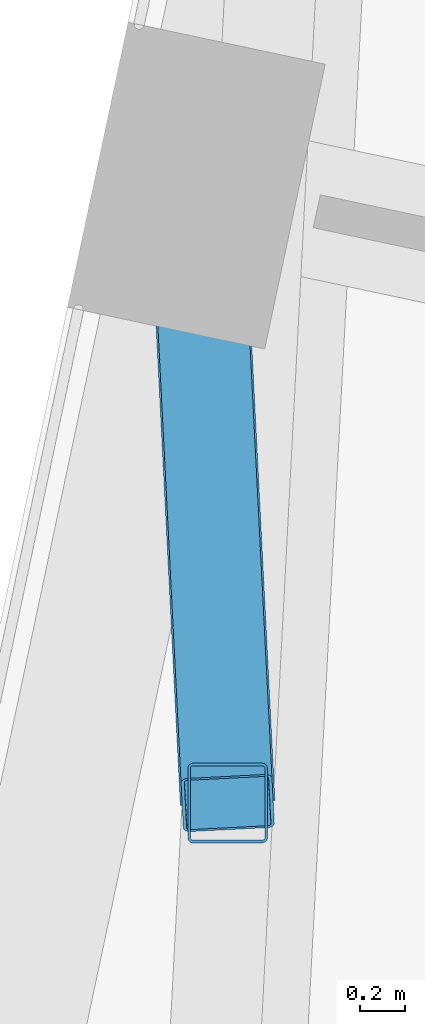
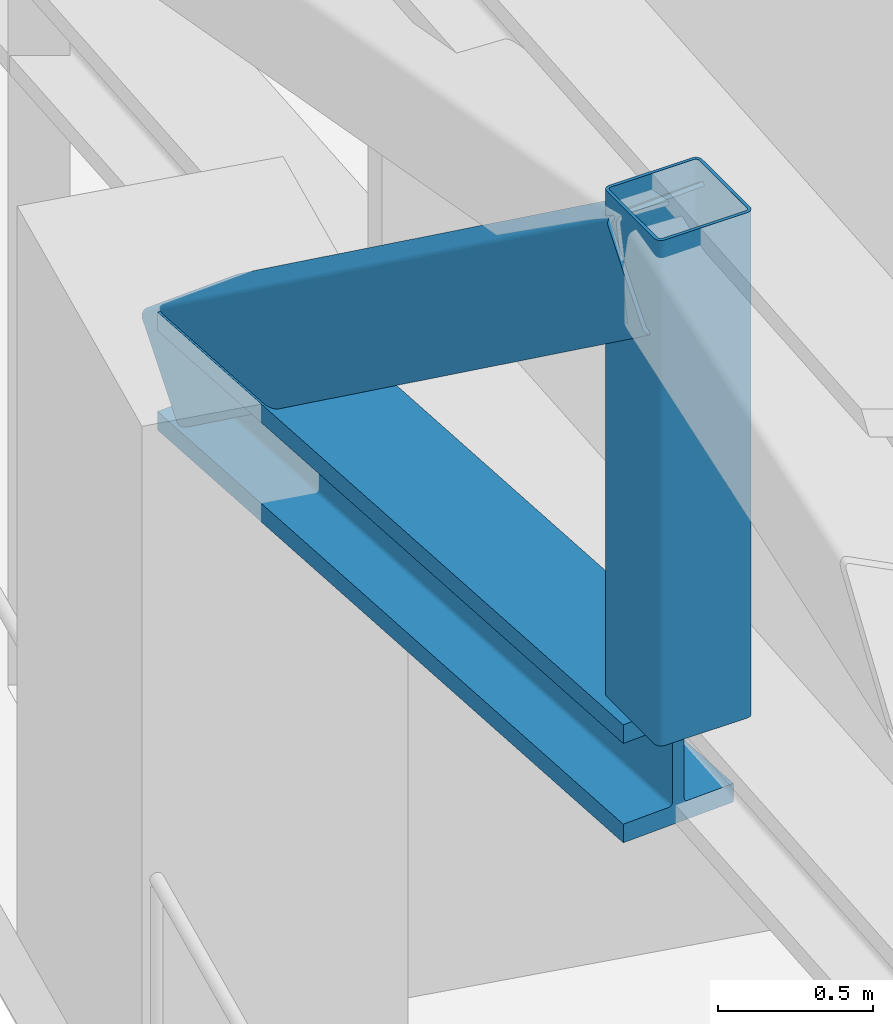
# One storey, part 8 of 24: 3 members.
"""IFC4 building model written with IfcOpenShell, lengths in metres."""

from ifc_helpers import new_model, si_unit, direction, frame, origin, origin_2d, place, context, subcontext, project, spatial, hollow_rectangle, i_section, extrude, material, material_profile, profile_set, type_object, element, save


model = new_model("IFC4")

# Units and contexts
model_context = context("Model", 3, precision=1e-05, world=origin(), true_north=direction((0.0, 1.0)))
body_context = subcontext(model_context, "Body", "Model", "MODEL_VIEW")
ifc_project = project(units=[si_unit("LENGTHUNIT", "METRE"), si_unit("AREAUNIT", "SQUARE_METRE"), si_unit("VOLUMEUNIT", "CUBIC_METRE"), si_unit("PLANEANGLEUNIT", "RADIAN"), si_unit("MASSUNIT", "GRAM", prefix="KILO")], contexts=[model_context])

# Site, building, storey
site_placement = place(None, origin())
site = spatial("IfcSite", under=ifc_project, at=site_placement, CompositionType="ELEMENT")
building_placement = place(site_placement, origin())
building = spatial("IfcBuilding", under=site, at=building_placement, Name="Tramontana Tower", CompositionType="ELEMENT")
storey_placement = place(building_placement, frame((0.0, 0.0, 120.39990234375)))
storey = spatial("IfcBuildingStorey", under=building, at=storey_placement, Name="L27", CompositionType="ELEMENT", Elevation=120.39990234375)

# Members
ifc_material_1 = material(Name="Steel ASTM A500 Grade C", Category="steel")
ifc_material_profile_1 = material_profile(ifc_material_1, hollow_rectangle(XDim=0.355712890625, YDim=0.355712890625, WallThickness=0.01171875, InnerFilletRadius=0.01171875, OuterFilletRadius=0.023681640625, at=origin_2d()), Name="HSS14X14X1/2")
ifc_profile_set_1 = profile_set([ifc_material_profile_1], Name="Steel ASTM A500 Grade C")
member_type_1 = type_object("IfcMemberType", Name="Belt truss HSS14X14X1/2 post", PredefinedType="POST", material=ifc_profile_set_1)
member_1_placement = place(storey_placement, frame((-17.026611328125, 0.892333984375, 2.86376953125), z_axis=(0.0, 0.0, 1.0), x_axis=(1.0, 0.0, 0.0)))
element("IfcMember", 1, at=member_1_placement, inside=storey, type_object=member_type_1, Name="Belt truss post C3F03", PredefinedType="POST", context=body_context, shape_type="SweptSolid", body=[
    extrude(hollow_rectangle(XDim=0.355712890625, YDim=0.355712890625, WallThickness=0.01171875, InnerFilletRadius=0.01171875, OuterFilletRadius=0.023681640625, at=origin_2d()), origin(), (0.0, 0.0, 1.0), 1.986328125),
])
ifc_material_2 = material(Name="Steel ASTM A500 Grade C", Category="steel")
ifc_material_profile_2 = material_profile(ifc_material_2, hollow_rectangle(XDim=0.406494140625, YDim=0.406494140625, WallThickness=0.0146484375, InnerFilletRadius=0.0146484375, OuterFilletRadius=0.029541015625, at=origin_2d()), Name="HSS16X16X5/8")
ifc_profile_set_2 = profile_set([ifc_material_profile_2], Name="Steel ASTM A500 Grade C")
member_type_2 = type_object("IfcMemberType", Name="Transfer truss HSS16X16X5/8 brace", PredefinedType="BRACE", material=ifc_profile_set_2)
member_2_placement = place(storey_placement, frame((-17.16650390625, 3.64892578125, 2.6318359375), z_axis=(0.041136269456, -0.81059270232, 0.584163742696), x_axis=(0.998714782705, 0.050683160968, 0.0)))
element("IfcMember", 2, at=member_2_placement, inside=storey, type_object=member_type_2, Name="Transfer truss strut C3F03 diagonal", PredefinedType="BRACE", context=body_context, shape_type="SweptSolid", body=[
    extrude(hollow_rectangle(XDim=0.406494140625, YDim=0.406494140625, WallThickness=0.0146484375, InnerFilletRadius=0.0146484375, OuterFilletRadius=0.029541015625, at=origin_2d()), origin(), (0.0, 0.0, 1.0), 3.400634765625),
])
ifc_material_3 = material(Name="Steel ASTM A992 Grade 50", Category="steel")
ifc_material_profile_3 = material_profile(ifc_material_3, i_section(OverallWidth=0.42236328125, OverallDepth=0.463623046875, WebThickness=0.04443359375, FlangeThickness=0.072998046875, FilletRadius=0.014892578125, at=origin_2d()), Name="W14X398")
ifc_profile_set_3 = profile_set([ifc_material_profile_3], Name="Steel ASTM A992 Grade 50")
member_type_3 = type_object("IfcMemberType", Name="Transfer truss W14X398 strut", PredefinedType="STRUT", material=ifc_profile_set_3)
member_3_placement = place(storey_placement, frame((-17.16650390625, 3.64892578125, 2.6318359375), z_axis=(0.050683160968, -0.998714782705, 0.0), x_axis=(0.998714782705, 0.050683160968, 0.0)))
element("IfcMember", 3, at=member_3_placement, inside=storey, type_object=member_type_3, Name="Transfer truss strut C3F03 bottom", PredefinedType="STRUT", context=body_context, shape_type="SweptSolid", body=[
    extrude(i_section(OverallWidth=0.42236328125, OverallDepth=0.463623046875, WebThickness=0.04443359375, FlangeThickness=0.072998046875, FilletRadius=0.014892578125, at=origin_2d()), origin(), (0.0, 0.0, 1.0), 2.76025390625),
])

save(model, "model.ifc")
